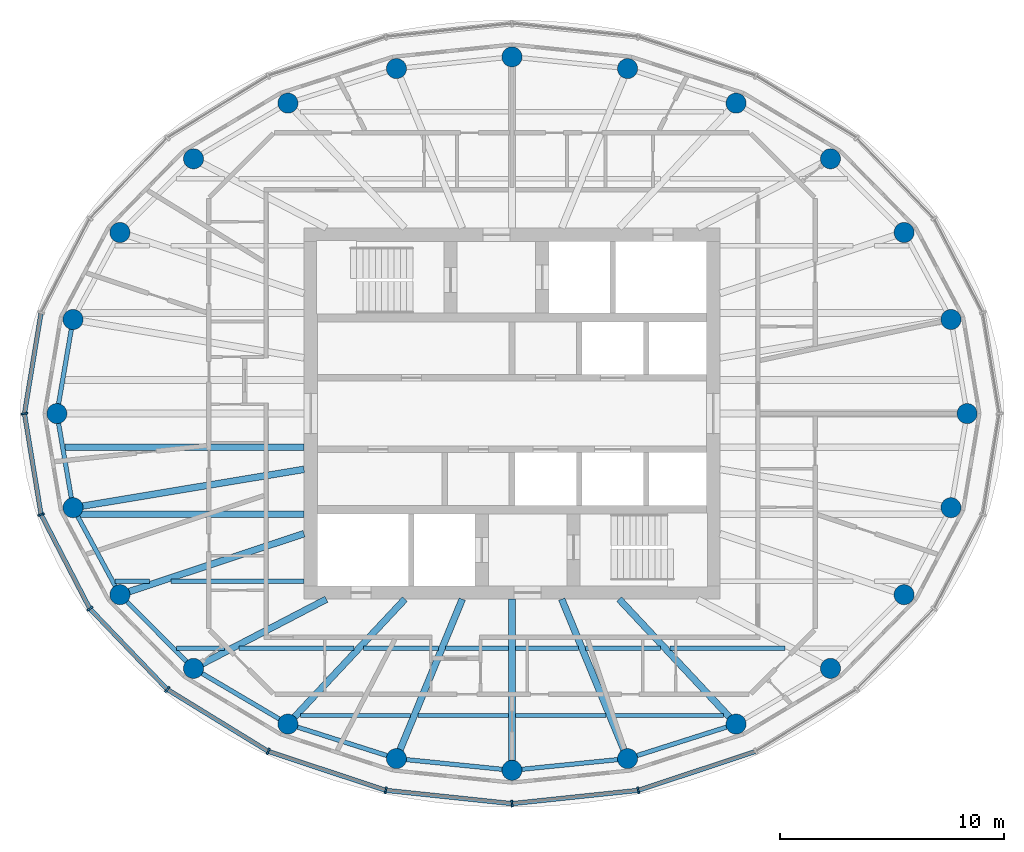
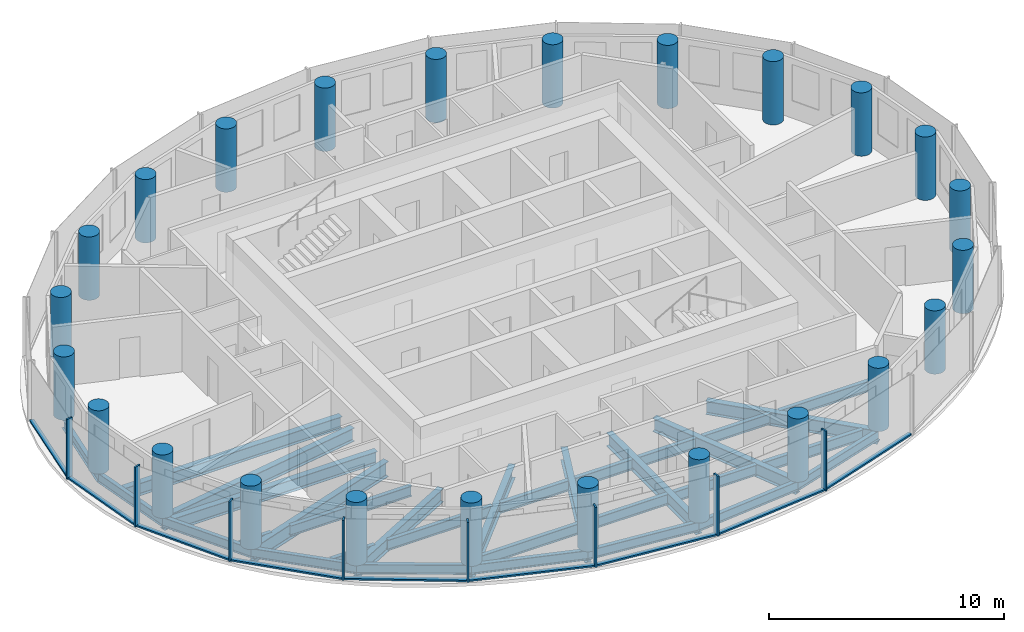
# One storey, part 1 of 11: 32 beams, 24 columns, 17 members, 3 elements without a shape of their own.
"""IFC4 building model written with IfcOpenShell, lengths in metres."""

from ifc_helpers import new_model, si_unit, direction, frame, origin, origin_2d, place, context, subcontext, project, spatial, rectangle, circle, i_section, extrude, material, material_profile, profile_set, type_object, element, aggregate, save


model = new_model("IFC4")

# Units and contexts
model_context = context("Model", 3, precision=1e-05, world=origin(), true_north=direction((0.0, 1.0)))
body_context = subcontext(model_context, "Body", "Model", "MODEL_VIEW")
ifc_project = project(units=[si_unit("LENGTHUNIT", "METRE"), si_unit("AREAUNIT", "SQUARE_METRE"), si_unit("VOLUMEUNIT", "CUBIC_METRE"), si_unit("PLANEANGLEUNIT", "RADIAN"), si_unit("MASSUNIT", "GRAM", prefix="KILO")], contexts=[model_context])

# Site, building, storey
site_placement = place(None, origin())
site = spatial("IfcSite", under=ifc_project, at=site_placement, CompositionType="ELEMENT")
building_placement = place(site_placement, origin())
building = spatial("IfcBuilding", under=site, at=building_placement, Name="Hankou Lantern Tower", CompositionType="ELEMENT")
storey_placement = place(building_placement, frame((0.0, 0.0, 199.5)))
storey = spatial("IfcBuildingStorey", under=building, at=storey_placement, Name="L53", CompositionType="ELEMENT", Elevation=199.5)

# Columns
ifc_material_1 = material(Name="Concrete C50", Category="concrete")
ifc_material_profile_1 = material_profile(ifc_material_1, circle(Radius=0.449951171875, at=origin_2d()), Name="RC D900")
ifc_profile_set_1 = profile_set([ifc_material_profile_1], Name="Concrete C50")
column_type = type_object("IfcColumnType", Name="TC5 PERIMETER COLUMN RC D900", PredefinedType="COLUMN", material=ifc_profile_set_1)
for number, where, z_axis, x_axis, name in (
    (1, (20.35009765625, 0.0, 0.0), (0.0, 0.0, 1.0), (1.0, 0.0, 0.0), "Column R01 L53"),
    (2, (19.629150390625, 4.207763671875, 0.0), (0.0, 0.0, 1.0), (1.0, 0.0, 0.0), "Column R02 L53"),
    (3, (17.5322265625, 8.097900390625, 0.0), (0.0, 0.0, 1.0), (1.0, 0.0, 0.0), "Column R03 L53"),
    (4, (14.241455078125, 11.393310546875, 0.0), (0.0, 0.0, 1.0), (1.0, 0.0, 0.0), "Column R04 L53"),
    (5, (10.01904296875, 13.8828125, 0.0), (0.0, 0.0, 1.0), (1.0, 0.0, 0.0), "Column R05 L53"),
    (6, (5.167236328125, 15.42724609375, 0.0), (0.0, 0.0, 1.0), (1.0, 0.0, 0.0), "Column R06 L53"),
    (7, (0.0, 15.949951171875, 0.0), (0.0, 0.0, 1.0), (1.0, 0.0, 0.0), "Column R07 L53"),
    (8, (-5.167236328125, 15.42724609375, 0.0), (0.0, 0.0, 1.0), (1.0, 0.0, 0.0), "Column R08 L53"),
    (9, (-10.01904296875, 13.8828125, 0.0), (0.0, 0.0, 1.0), (1.0, 0.0, 0.0), "Column R09 L53"),
    (10, (-14.241455078125, 11.393310546875, 0.0), (0.0, 0.0, 1.0), (1.0, 0.0, 0.0), "Column R10 L53"),
    (11, (-17.5322265625, 8.097900390625, 0.0), (0.0, 0.0, 1.0), (1.0, 0.0, 0.0), "Column R11 L53"),
    (12, (-19.629150390625, 4.207763671875, 0.0), (0.0, 0.0, 1.0), (1.0, 0.0, 0.0), "Column R12 L53"),
    (13, (-20.35009765625, 0.0, 0.0), (0.0, 0.0, 1.0), (1.0, 0.0, 0.0), "Column R13 L53"),
    (14, (-19.629150390625, -4.207763671875, 0.0), (0.0, 0.0, 1.0), (1.0, 0.0, 0.0), "Column R14 L53"),
    (15, (-17.5322265625, -8.097900390625, 0.0), (0.0, 0.0, 1.0), (1.0, 0.0, 0.0), "Column R15 L53"),
    (16, (-14.241455078125, -11.393310546875, 0.0), (0.0, 0.0, 1.0), (1.0, 0.0, 0.0), "Column R16 L53"),
    (17, (-10.01904296875, -13.8828125, 0.0), (0.0, 0.0, 1.0), (1.0, 0.0, 0.0), "Column R17 L53"),
    (18, (-5.167236328125, -15.42724609375, 0.0), (0.0, 0.0, 1.0), (1.0, 0.0, 0.0), "Column R18 L53"),
    (19, (0.0, -15.949951171875, 0.0), (0.0, 0.0, 1.0), (1.0, 0.0, 0.0), "Column R19 L53"),
    (20, (5.167236328125, -15.42724609375, 0.0), (0.0, 0.0, 1.0), (1.0, 0.0, 0.0), "Column R20 L53"),
    (21, (10.01904296875, -13.8828125, 0.0), (0.0, 0.0, 1.0), (1.0, 0.0, 0.0), "Column R21 L53"),
    (22, (14.241455078125, -11.393310546875, 0.0), (0.0, 0.0, 1.0), (1.0, 0.0, 0.0), "Column R22 L53"),
    (23, (17.5322265625, -8.097900390625, 0.0), (0.0, 0.0, 1.0), (1.0, 0.0, 0.0), "Column R23 L53"),
    (24, (19.629150390625, -4.207763671875, 0.0), (0.0, 0.0, 1.0), (1.0, 0.0, 0.0), "Column R24 L53"),
):
    element("IfcColumn", number, at=place(storey_placement, frame(where, z_axis=z_axis, x_axis=x_axis)), inside=storey, type_object=column_type, Name=name, PredefinedType="COLUMN", context=body_context, shape_type="SweptSolid", body=[
        extrude(circle(Radius=0.449951171875, at=origin_2d()), origin(), (0.0, 0.0, 1.0), 3.300048828125),
    ])

# Beams
ifc_material_2 = material(Name="Steel Q355B", Category="steel")
ifc_material_profile_2 = material_profile(ifc_material_2, i_section(OverallWidth=0.199951171875, OverallDepth=0.5, WebThickness=0.010009765625, FlangeThickness=0.01611328125, FilletRadius=0.012939453125, at=origin_2d()), Name="HN500x200x10x16")
ifc_profile_set_2 = profile_set([ifc_material_profile_2], Name="Steel Q355B")
beam_type_1 = type_object("IfcBeamType", Name="EB5 RING BEAM HN500x200x10x16", PredefinedType="SPANDREL", material=ifc_profile_set_2)
for number, where, z_axis, x_axis, name in (
    (25, (-19.629150390625, 4.207763671875, -0.429931640625), (-0.168876512999, -0.98563721691, 0.0), (0.98563721691, -0.168876512999, 0.0), "Ring beam R12-R13 L53"),
    (26, (-20.35009765625, 0.0, -0.429931640625), (0.168876512999, -0.98563721691, 0.0), (0.98563721691, 0.168876512999, 0.0), "Ring beam R13-R14 L53"),
):
    element("IfcBeam", number, at=place(storey_placement, frame(where, z_axis=z_axis, x_axis=x_axis)), inside=storey, type_object=beam_type_1, Name=name, PredefinedType="SPANDREL", context=body_context, shape_type="SweptSolid", body=[
        extrude(i_section(OverallWidth=0.199951171875, OverallDepth=0.5, WebThickness=0.010009765625, FlangeThickness=0.01611328125, FilletRadius=0.012939453125, at=origin_2d()), origin(), (0.0, 0.0, 1.0), 4.26904296875),
    ])
beam_1_placement = place(storey_placement, frame((-19.629150390625, -4.207763671875, -0.429931640625), z_axis=(0.474491806611, -0.880259919262, 0.0), x_axis=(0.880259919262, 0.474491806611, 0.0)))
element("IfcBeam", 27, at=beam_1_placement, inside=storey, type_object=beam_type_1, Name="Ring beam R14-R15 L53", PredefinedType="SPANDREL", context=body_context, shape_type="SweptSolid", body=[
    extrude(i_section(OverallWidth=0.199951171875, OverallDepth=0.5, WebThickness=0.010009765625, FlangeThickness=0.01611328125, FilletRadius=0.012939453125, at=origin_2d()), origin(), (0.0, 0.0, 1.0), 4.419189453125),
])
beam_2_placement = place(storey_placement, frame((-17.5322265625, -8.097900390625, -0.429931640625), z_axis=(0.706608588034, -0.707604623583, 0.0), x_axis=(0.707604623583, 0.706608588034, 0.0)))
element("IfcBeam", 28, at=beam_2_placement, inside=storey, type_object=beam_type_1, Name="Ring beam R15-R16 L53", PredefinedType="SPANDREL", context=body_context, shape_type="SweptSolid", body=[
    extrude(i_section(OverallWidth=0.199951171875, OverallDepth=0.5, WebThickness=0.010009765625, FlangeThickness=0.01611328125, FilletRadius=0.012939453125, at=origin_2d()), origin(), (0.0, 0.0, 1.0), 4.6572265625),
])
beam_3_placement = place(storey_placement, frame((-14.241455078125, -11.393310546875, -0.429931640625), z_axis=(0.861422897323, -0.507888365655, 0.0), x_axis=(0.507888365655, 0.861422897323, 0.0)))
element("IfcBeam", 29, at=beam_3_placement, inside=storey, type_object=beam_type_1, Name="Ring beam R16-R17 L53", PredefinedType="SPANDREL", context=body_context, shape_type="SweptSolid", body=[
    extrude(i_section(OverallWidth=0.199951171875, OverallDepth=0.5, WebThickness=0.010009765625, FlangeThickness=0.01611328125, FilletRadius=0.012939453125, at=origin_2d()), origin(), (0.0, 0.0, 1.0), 4.901611328125),
])
beam_4_placement = place(storey_placement, frame((-10.01904296875, -13.8828125, -0.429931640625), z_axis=(0.952887359315, -0.303324381574, 0.0), x_axis=(0.303324381574, 0.952887359315, 0.0)))
element("IfcBeam", 30, at=beam_4_placement, inside=storey, type_object=beam_type_1, Name="Ring beam R17-R18 L53", PredefinedType="SPANDREL", context=body_context, shape_type="SweptSolid", body=[
    extrude(i_section(OverallWidth=0.199951171875, OverallDepth=0.5, WebThickness=0.010009765625, FlangeThickness=0.01611328125, FilletRadius=0.012939453125, at=origin_2d()), origin(), (0.0, 0.0, 1.0), 5.091796875),
])
for number, where, z_axis, x_axis, name in (
    (31, (-5.167236328125, -15.42724609375, -0.429931640625), (0.994922507736, -0.100643944676, 0.0), (0.100643944676, 0.994922507736, 0.0), "Ring beam R18-R19 L53"),
    (32, (0.0, -15.949951171875, -0.429931640625), (0.994922507736, 0.100643944676, 0.0), (-0.100643944676, 0.994922507736, 0.0), "Ring beam R19-R20 L53"),
):
    element("IfcBeam", number, at=place(storey_placement, frame(where, z_axis=z_axis, x_axis=x_axis)), inside=storey, type_object=beam_type_1, Name=name, PredefinedType="SPANDREL", context=body_context, shape_type="SweptSolid", body=[
        extrude(i_section(OverallWidth=0.199951171875, OverallDepth=0.5, WebThickness=0.010009765625, FlangeThickness=0.01611328125, FilletRadius=0.012939453125, at=origin_2d()), origin(), (0.0, 0.0, 1.0), 5.193603515625),
    ])
beam_5_placement = place(storey_placement, frame((5.167236328125, -15.42724609375, -0.429931640625), z_axis=(0.952887359315, 0.303324381574, 0.0), x_axis=(-0.303324381574, 0.952887359315, 0.0)))
element("IfcBeam", 33, at=beam_5_placement, inside=storey, type_object=beam_type_1, Name="Ring beam R20-R21 L53", PredefinedType="SPANDREL", context=body_context, shape_type="SweptSolid", body=[
    extrude(i_section(OverallWidth=0.199951171875, OverallDepth=0.5, WebThickness=0.010009765625, FlangeThickness=0.01611328125, FilletRadius=0.012939453125, at=origin_2d()), origin(), (0.0, 0.0, 1.0), 5.091796875),
])

# Curtain wall, members
ifc_material_3 = material(Name="Glass, dark grey tinted laminated", Category="glass")
curtain_wall_type = type_object("IfcCurtainWallType", Name="CWD OUTER SKIN SUITE", PredefinedType="USERDEFINED", material=ifc_material_3)
curtain_wall_1_placement = place(storey_placement, origin())
curtain_wall_1 = element("IfcCurtainWall", 34, at=curtain_wall_1_placement, inside=storey, type_object=curtain_wall_type, Name="CWD L53 OS3", ObjectType="OUTER SKIN SUITE", PredefinedType="USERDEFINED")
ifc_material_4 = material(Name="Aluminium, black anodised", Category="aluminium")
ifc_material_profile_3 = material_profile(ifc_material_4, rectangle(XDim=0.080078125, YDim=0.300048828125, at=origin_2d()), Name="MU1 80X300")
ifc_profile_set_3 = profile_set([ifc_material_profile_3], Name="Aluminium, black anodised")
member_type_1 = type_object("IfcMemberType", Name="MU1 OUTER SKIN MULLION 80X300", PredefinedType="MULLION", material=ifc_profile_set_3)
member_1_placement = place(storey_placement, frame((-21.800048828125, 0.0, 0.0), z_axis=(0.0, 0.0, 1.0), x_axis=(0.162381515188, -0.986728049427, 0.0)))
member_1 = element("IfcMember", 35, at=member_1_placement, type_object=member_type_1, Name="CWD mullion 1", PredefinedType="MULLION", context=body_context, shape_type="SweptSolid", body=[
    extrude(rectangle(XDim=0.080078125, YDim=0.300048828125, at=origin_2d()), origin(), (0.0, 0.0, 1.0), 3.1201171875),
])
member_2_placement = place(storey_placement, frame((-21.05712890625, -4.513916015625, 0.0), z_axis=(0.0, 0.0, 1.0), x_axis=(0.317595577365, -0.94822626479, 0.0)))
member_2 = element("IfcMember", 36, at=member_2_placement, type_object=member_type_1, Name="CWD mullion 2", PredefinedType="MULLION", context=body_context, shape_type="SweptSolid", body=[
    extrude(rectangle(XDim=0.080078125, YDim=0.300048828125, at=origin_2d()), origin(), (0.0, 0.0, 1.0), 3.1201171875),
])
member_3_placement = place(storey_placement, frame((-18.87939453125, -8.719970703125, 0.0), z_axis=(0.0, 0.0, 1.0), x_axis=(0.585205735974, -0.810884854084, 0.0)))
member_3 = element("IfcMember", 37, at=member_3_placement, type_object=member_type_1, Name="CWD mullion 3", PredefinedType="MULLION", context=body_context, shape_type="SweptSolid", body=[
    extrude(rectangle(XDim=0.080078125, YDim=0.300048828125, at=origin_2d()), origin(), (0.0, 0.0, 1.0), 3.1201171875),
])
member_4_placement = place(storey_placement, frame((-15.4150390625, -12.33203125, 0.0), z_axis=(0.0, 0.0, 1.0), x_axis=(0.780868809444, -0.624695047553, 0.0)))
member_4 = element("IfcMember", 38, at=member_4_placement, type_object=member_type_1, Name="CWD mullion 4", PredefinedType="MULLION", context=body_context, shape_type="SweptSolid", body=[
    extrude(rectangle(XDim=0.080078125, YDim=0.300048828125, at=origin_2d()), origin(), (0.0, 0.0, 1.0), 3.1201171875),
])
member_5_placement = place(storey_placement, frame((-10.89990234375, -15.103515625, 0.0), z_axis=(0.0, 0.0, 1.0), x_axis=(0.907841299004, -0.419313934686, 0.0)))
member_5 = element("IfcMember", 39, at=member_5_placement, type_object=member_type_1, Name="CWD mullion 5", PredefinedType="MULLION", context=body_context, shape_type="SweptSolid", body=[
    extrude(rectangle(XDim=0.080078125, YDim=0.300048828125, at=origin_2d()), origin(), (0.0, 0.0, 1.0), 3.1201171875),
])
member_6_placement = place(storey_placement, frame((-5.642333984375, -16.845703125, 0.0), z_axis=(0.0, 0.0, 1.0), x_axis=(0.977787659625, -0.209597931016, 0.0)))
member_6 = element("IfcMember", 40, at=member_6_placement, type_object=member_type_1, Name="CWD mullion 6", PredefinedType="MULLION", context=body_context, shape_type="SweptSolid", body=[
    extrude(rectangle(XDim=0.080078125, YDim=0.300048828125, at=origin_2d()), origin(), (0.0, 0.0, 1.0), 3.1201171875),
])

curtain_wall_2_placement = place(storey_placement, origin())
curtain_wall_2 = element("IfcCurtainWall", 41, at=curtain_wall_2_placement, inside=storey, type_object=curtain_wall_type, Name="CWD L53 OS4", ObjectType="OUTER SKIN SUITE", PredefinedType="USERDEFINED")
member_7_placement = place(storey_placement, frame((0.0, -17.43994140625, 0.0), z_axis=(0.0, 0.0, 1.0), x_axis=(0.994499359107, 0.104742659579, 0.0)))
member_7 = element("IfcMember", 42, at=member_7_placement, type_object=member_type_1, Name="CWD mullion 1", PredefinedType="MULLION", context=body_context, shape_type="SweptSolid", body=[
    extrude(rectangle(XDim=0.080078125, YDim=0.300048828125, at=origin_2d()), origin(), (0.0, 0.0, 1.0), 3.1201171875),
])
member_8_placement = place(storey_placement, frame((5.642333984375, -16.845703125, 0.0), z_axis=(0.0, 0.0, 1.0), x_axis=(0.977787659625, 0.209597931016, 0.0)))
member_8 = element("IfcMember", 43, at=member_8_placement, type_object=member_type_1, Name="CWD mullion 2", PredefinedType="MULLION", context=body_context, shape_type="SweptSolid", body=[
    extrude(rectangle(XDim=0.080078125, YDim=0.300048828125, at=origin_2d()), origin(), (0.0, 0.0, 1.0), 3.1201171875),
])

# Beams
ifc_material_5 = material(Name="Steel Q355B", Category="steel")
ifc_material_profile_4 = material_profile(ifc_material_5, i_section(OverallWidth=0.300048828125, OverallDepth=0.800048828125, WebThickness=0.013916015625, FlangeThickness=0.02587890625, FilletRadius=0.01806640625, at=origin_2d()), Name="HN800x300x14x26")
ifc_profile_set_4 = profile_set([ifc_material_profile_4], Name="Steel Q355B")
beam_type_2 = type_object("IfcBeamType", Name="RB11 RADIAL BEAM HN800x300x14x26", PredefinedType="BEAM", material=ifc_profile_set_4)
beam_6_placement = place(storey_placement, frame((-9.300048828125, -5.369384765625, -0.580078125), z_axis=(-0.949219608576, -0.314614263337, 0.0), x_axis=(0.314614263337, -0.949219608576, 0.0)))
element("IfcBeam", 44, at=beam_6_placement, inside=storey, type_object=beam_type_2, Name="Radial beam R15 L53", PredefinedType="BEAM", context=body_context, shape_type="SweptSolid", body=[
    extrude(i_section(OverallWidth=0.300048828125, OverallDepth=0.800048828125, WebThickness=0.013916015625, FlangeThickness=0.02587890625, FilletRadius=0.01806640625, at=origin_2d()), origin(), (0.0, 0.0, 1.0), 8.672607421875),
])
ifc_material_6 = material(Name="Steel Q355B", Category="steel")
ifc_material_profile_5 = material_profile(ifc_material_6, i_section(OverallWidth=0.300048828125, OverallDepth=0.699951171875, WebThickness=0.012939453125, FlangeThickness=0.02392578125, FilletRadius=0.01806640625, at=origin_2d()), Name="HN700x300x13x24")
ifc_profile_set_5 = profile_set([ifc_material_profile_5], Name="Steel Q355B")
beam_type_3 = type_object("IfcBeamType", Name="RB9 RADIAL BEAM HN700x300x13x24", PredefinedType="BEAM", material=ifc_profile_set_5)
beam_7_placement = place(storey_placement, frame((-9.300048828125, -2.491943359375, -0.530029296875), z_axis=(-0.986482007061, -0.163869612027, 0.0), x_axis=(0.163869612027, -0.986482007061, 0.0)))
element("IfcBeam", 45, at=beam_7_placement, inside=storey, type_object=beam_type_3, Name="Radial beam R14 L53", PredefinedType="BEAM", context=body_context, shape_type="SweptSolid", body=[
    extrude(i_section(OverallWidth=0.300048828125, OverallDepth=0.699951171875, WebThickness=0.012939453125, FlangeThickness=0.02392578125, FilletRadius=0.01806640625, at=origin_2d()), origin(), (0.0, 0.0, 1.0), 10.470703125),
])
beam_8_placement = place(storey_placement, frame((-8.300048828125, -8.300048828125, -0.530029296875), z_axis=(-0.886988734783, -0.461791061378, 0.0), x_axis=(0.461791061378, -0.886988734783, 0.0)))
element("IfcBeam", 46, at=beam_8_placement, inside=storey, type_object=beam_type_3, Name="Radial beam R16 L53", PredefinedType="BEAM", context=body_context, shape_type="SweptSolid", body=[
    extrude(i_section(OverallWidth=0.300048828125, OverallDepth=0.699951171875, WebThickness=0.012939453125, FlangeThickness=0.02392578125, FilletRadius=0.01806640625, at=origin_2d()), origin(), (0.0, 0.0, 1.0), 6.698486328125),
])
beam_9_placement = place(storey_placement, frame((-4.7919921875, -8.300048828125, -0.530029296875), z_axis=(-0.68346844743, -0.729980055459, 0.0), x_axis=(0.729980055459, -0.68346844743, 0.0)))
element("IfcBeam", 47, at=beam_9_placement, inside=storey, type_object=beam_type_3, Name="Radial beam R17 L53", PredefinedType="BEAM", context=body_context, shape_type="SweptSolid", body=[
    extrude(i_section(OverallWidth=0.300048828125, OverallDepth=0.699951171875, WebThickness=0.012939453125, FlangeThickness=0.02392578125, FilletRadius=0.01806640625, at=origin_2d()), origin(), (0.0, 0.0, 1.0), 7.64794921875),
])
beam_10_placement = place(storey_placement, frame((-2.223876953125, -8.300048828125, -0.530029296875), z_axis=(-0.381706648123, -0.924283525104, 0.0), x_axis=(0.924283525104, -0.381706648123, 0.0)))
element("IfcBeam", 48, at=beam_10_placement, inside=storey, type_object=beam_type_3, Name="Radial beam R18 L53", PredefinedType="BEAM", context=body_context, shape_type="SweptSolid", body=[
    extrude(i_section(OverallWidth=0.300048828125, OverallDepth=0.699951171875, WebThickness=0.012939453125, FlangeThickness=0.02392578125, FilletRadius=0.01806640625, at=origin_2d()), origin(), (0.0, 0.0, 1.0), 7.7109375),
])
beam_11_placement = place(storey_placement, frame((0.0, -8.300048828125, -0.530029296875), z_axis=(0.0, -1.0, 0.0), x_axis=(1.0, 0.0, 0.0)))
element("IfcBeam", 49, at=beam_11_placement, inside=storey, type_object=beam_type_3, Name="Radial beam R19 L53", PredefinedType="BEAM", context=body_context, shape_type="SweptSolid", body=[
    extrude(i_section(OverallWidth=0.300048828125, OverallDepth=0.699951171875, WebThickness=0.012939453125, FlangeThickness=0.02392578125, FilletRadius=0.01806640625, at=origin_2d()), origin(), (0.0, 0.0, 1.0), 7.64990234375),
])
beam_12_placement = place(storey_placement, frame((2.223876953125, -8.300048828125, -0.530029296875), z_axis=(0.381706648123, -0.924283525104, 0.0), x_axis=(0.924283525104, 0.381706648123, 0.0)))
element("IfcBeam", 50, at=beam_12_placement, inside=storey, type_object=beam_type_3, Name="Radial beam R20 L53", PredefinedType="BEAM", context=body_context, shape_type="SweptSolid", body=[
    extrude(i_section(OverallWidth=0.300048828125, OverallDepth=0.699951171875, WebThickness=0.012939453125, FlangeThickness=0.02392578125, FilletRadius=0.01806640625, at=origin_2d()), origin(), (0.0, 0.0, 1.0), 7.7109375),
])
beam_13_placement = place(storey_placement, frame((4.7919921875, -8.300048828125, -0.530029296875), z_axis=(0.68346844743, -0.729980055459, 0.0), x_axis=(0.729980055459, 0.68346844743, 0.0)))
element("IfcBeam", 51, at=beam_13_placement, inside=storey, type_object=beam_type_3, Name="Radial beam R21 L53", PredefinedType="BEAM", context=body_context, shape_type="SweptSolid", body=[
    extrude(i_section(OverallWidth=0.300048828125, OverallDepth=0.699951171875, WebThickness=0.012939453125, FlangeThickness=0.02392578125, FilletRadius=0.01806640625, at=origin_2d()), origin(), (0.0, 0.0, 1.0), 7.64794921875),
])
ifc_material_7 = material(Name="Steel Q355B", Category="steel")
ifc_material_profile_6 = material_profile(ifc_material_7, i_section(OverallWidth=0.199951171875, OverallDepth=0.550048828125, WebThickness=0.010009765625, FlangeThickness=0.01611328125, FilletRadius=0.012939453125, at=origin_2d()), Name="HN550x200x10x16")
ifc_profile_set_6 = profile_set([ifc_material_profile_6], Name="Steel Q355B")
beam_type_4 = type_object("IfcBeamType", Name="SB6 SECONDARY BEAM HN550x200x10x16", PredefinedType="JOIST", material=ifc_profile_set_6)
beam_14_placement = place(storey_placement, frame((-9.455078125, -13.5, -0.455078125), z_axis=(1.0, 0.0, 0.0), x_axis=(0.0, 1.0, 0.0)))
element("IfcBeam", 52, at=beam_14_placement, inside=storey, type_object=beam_type_4, Name="Floor joist J001 L53", PredefinedType="JOIST", context=body_context, shape_type="SweptSolid", body=[
    extrude(i_section(OverallWidth=0.199951171875, OverallDepth=0.550048828125, WebThickness=0.010009765625, FlangeThickness=0.01611328125, FilletRadius=0.012939453125, at=origin_2d()), origin(), (0.0, 0.0, 1.0), 4.92138671875),
])
for number, where, z_axis, x_axis, name in (
    (53, (-4.208984375, -13.5, -0.455078125), (1.0, 0.0, 0.0), (0.0, 1.0, 0.0), "Floor joist J002 L53"),
    (54, (0.14990234375, -13.5, -0.455078125), (1.0, 0.0, 0.0), (0.0, 1.0, 0.0), "Floor joist J003 L53"),
):
    element("IfcBeam", number, at=place(storey_placement, frame(where, z_axis=z_axis, x_axis=x_axis)), inside=storey, type_object=beam_type_4, Name=name, PredefinedType="JOIST", context=body_context, shape_type="SweptSolid", body=[
        extrude(i_section(OverallWidth=0.199951171875, OverallDepth=0.550048828125, WebThickness=0.010009765625, FlangeThickness=0.01611328125, FilletRadius=0.012939453125, at=origin_2d()), origin(), (0.0, 0.0, 1.0), 4.05908203125),
    ])
beam_15_placement = place(storey_placement, frame((4.53369140625, -13.5, -0.455078125), z_axis=(1.0, 0.0, 0.0), x_axis=(0.0, 1.0, 0.0)))
element("IfcBeam", 55, at=beam_15_placement, inside=storey, type_object=beam_type_4, Name="Floor joist J004 L53", PredefinedType="JOIST", context=body_context, shape_type="SweptSolid", body=[
    extrude(i_section(OverallWidth=0.199951171875, OverallDepth=0.550048828125, WebThickness=0.010009765625, FlangeThickness=0.01611328125, FilletRadius=0.012939453125, at=origin_2d()), origin(), (0.0, 0.0, 1.0), 4.92138671875),
])
beam_16_placement = place(storey_placement, frame((-14.9921875, -10.5, -0.455078125), z_axis=(1.0, 0.0, 0.0), x_axis=(0.0, 1.0, 0.0)))
element("IfcBeam", 56, at=beam_16_placement, inside=storey, type_object=beam_type_4, Name="Floor joist J005 L53", PredefinedType="JOIST", context=body_context, shape_type="SweptSolid", body=[
    extrude(i_section(OverallWidth=0.199951171875, OverallDepth=0.550048828125, WebThickness=0.010009765625, FlangeThickness=0.01611328125, FilletRadius=0.012939453125, at=origin_2d()), origin(), (0.0, 0.0, 1.0), 2.1416015625),
])
beam_17_placement = place(storey_placement, frame((-12.200927734375, -10.5, -0.455078125), z_axis=(1.0, 0.0, 0.0), x_axis=(0.0, 1.0, 0.0)))
element("IfcBeam", 57, at=beam_17_placement, inside=storey, type_object=beam_type_4, Name="Floor joist J006 L53", PredefinedType="JOIST", context=body_context, shape_type="SweptSolid", body=[
    extrude(i_section(OverallWidth=0.199951171875, OverallDepth=0.550048828125, WebThickness=0.010009765625, FlangeThickness=0.01611328125, FilletRadius=0.012939453125, at=origin_2d()), origin(), (0.0, 0.0, 1.0), 5.1435546875),
])
beam_18_placement = place(storey_placement, frame((-6.646240234375, -10.5, -0.455078125), z_axis=(1.0, 0.0, 0.0), x_axis=(0.0, 1.0, 0.0)))
element("IfcBeam", 58, at=beam_18_placement, inside=storey, type_object=beam_type_4, Name="Floor joist J007 L53", PredefinedType="JOIST", context=body_context, shape_type="SweptSolid", body=[
    extrude(i_section(OverallWidth=0.199951171875, OverallDepth=0.550048828125, WebThickness=0.010009765625, FlangeThickness=0.01611328125, FilletRadius=0.012939453125, at=origin_2d()), origin(), (0.0, 0.0, 1.0), 3.3515625),
])
for number, where, z_axis, x_axis, name in (
    (59, (-2.97021484375, -10.5, -0.455078125), (1.0, 0.0, 0.0), (0.0, 1.0, 0.0), "Floor joist J008 L53"),
    (60, (0.14990234375, -10.5, -0.455078125), (1.0, 0.0, 0.0), (0.0, 1.0, 0.0), "Floor joist J009 L53"),
):
    element("IfcBeam", number, at=place(storey_placement, frame(where, z_axis=z_axis, x_axis=x_axis)), inside=storey, type_object=beam_type_4, Name=name, PredefinedType="JOIST", context=body_context, shape_type="SweptSolid", body=[
        extrude(i_section(OverallWidth=0.199951171875, OverallDepth=0.550048828125, WebThickness=0.010009765625, FlangeThickness=0.01611328125, FilletRadius=0.012939453125, at=origin_2d()), origin(), (0.0, 0.0, 1.0), 2.8203125),
    ])
beam_19_placement = place(storey_placement, frame((3.294677734375, -10.5, -0.455078125), z_axis=(1.0, 0.0, 0.0), x_axis=(0.0, 1.0, 0.0)))
element("IfcBeam", 61, at=beam_19_placement, inside=storey, type_object=beam_type_4, Name="Floor joist J010 L53", PredefinedType="JOIST", context=body_context, shape_type="SweptSolid", body=[
    extrude(i_section(OverallWidth=0.199951171875, OverallDepth=0.550048828125, WebThickness=0.010009765625, FlangeThickness=0.01611328125, FilletRadius=0.012939453125, at=origin_2d()), origin(), (0.0, 0.0, 1.0), 3.3515625),
])
beam_20_placement = place(storey_placement, frame((7.057373046875, -10.5, -0.455078125), z_axis=(1.0, 0.0, 0.0), x_axis=(0.0, 1.0, 0.0)))
element("IfcBeam", 62, at=beam_20_placement, inside=storey, type_object=beam_type_4, Name="Floor joist J011 L53", PredefinedType="JOIST", context=body_context, shape_type="SweptSolid", body=[
    extrude(i_section(OverallWidth=0.199951171875, OverallDepth=0.550048828125, WebThickness=0.010009765625, FlangeThickness=0.01611328125, FilletRadius=0.012939453125, at=origin_2d()), origin(), (0.0, 0.0, 1.0), 5.1435546875),
])
beam_21_placement = place(storey_placement, frame((-17.740966796875, -7.5, -0.455078125), z_axis=(1.0, 0.0, 0.0), x_axis=(0.0, 1.0, 0.0)))
element("IfcBeam", 63, at=beam_21_placement, inside=storey, type_object=beam_type_4, Name="Floor joist J013 L53", PredefinedType="JOIST", context=body_context, shape_type="SweptSolid", body=[
    extrude(i_section(OverallWidth=0.199951171875, OverallDepth=0.550048828125, WebThickness=0.010009765625, FlangeThickness=0.01611328125, FilletRadius=0.012939453125, at=origin_2d()), origin(), (0.0, 0.0, 1.0), 1.53564453125),
])
beam_22_placement = place(storey_placement, frame((-15.251708984375, -7.5, -0.455078125), z_axis=(1.0, 0.0, 0.0), x_axis=(0.0, 1.0, 0.0)))
element("IfcBeam", 64, at=beam_22_placement, inside=storey, type_object=beam_type_4, Name="Floor joist J014 L53", PredefinedType="JOIST", context=body_context, shape_type="SweptSolid", body=[
    extrude(i_section(OverallWidth=0.199951171875, OverallDepth=0.550048828125, WebThickness=0.010009765625, FlangeThickness=0.01611328125, FilletRadius=0.012939453125, at=origin_2d()), origin(), (0.0, 0.0, 1.0), 5.95166015625),
])
ifc_material_8 = material(Name="Steel Q355B", Category="steel")
ifc_material_profile_7 = material_profile(ifc_material_8, i_section(OverallWidth=0.300048828125, OverallDepth=0.64990234375, WebThickness=0.010986328125, FlangeThickness=0.01708984375, FilletRadius=0.01806640625, at=origin_2d()), Name="HN650x300x11x17")
ifc_profile_set_7 = profile_set([ifc_material_profile_7], Name="Steel Q355B")
beam_type_5 = type_object("IfcBeamType", Name="SB8 SECONDARY BEAM HN650x300x11x17", PredefinedType="JOIST", material=ifc_profile_set_7)
beam_23_placement = place(storey_placement, frame((-19.35791015625, -4.5, -0.5048828125), z_axis=(1.0, 0.0, 0.0), x_axis=(0.0, 1.0, 0.0)))
element("IfcBeam", 65, at=beam_23_placement, inside=storey, type_object=beam_type_5, Name="Floor joist J017 L53", PredefinedType="JOIST", context=body_context, shape_type="SweptSolid", body=[
    extrude(i_section(OverallWidth=0.300048828125, OverallDepth=0.64990234375, WebThickness=0.010986328125, FlangeThickness=0.01708984375, FilletRadius=0.01806640625, at=origin_2d()), origin(), (0.0, 0.0, 1.0), 10.057861328125),
])
beam_24_placement = place(storey_placement, frame((-19.991455078125, -1.5, -0.5048828125), z_axis=(1.0, 0.0, 0.0), x_axis=(0.0, 1.0, 0.0)))
element("IfcBeam", 66, at=beam_24_placement, inside=storey, type_object=beam_type_5, Name="Floor joist J019 L53", PredefinedType="JOIST", context=body_context, shape_type="SweptSolid", body=[
    extrude(i_section(OverallWidth=0.300048828125, OverallDepth=0.64990234375, WebThickness=0.010986328125, FlangeThickness=0.01708984375, FilletRadius=0.01806640625, at=origin_2d()), origin(), (0.0, 0.0, 1.0), 10.69140625),
])

# Curtain wall, member
curtain_wall_3_placement = place(storey_placement, origin())
curtain_wall_3 = element("IfcCurtainWall", 67, at=curtain_wall_3_placement, inside=storey, type_object=curtain_wall_type, Name="CWD L53 OS2", ObjectType="OUTER SKIN SUITE", PredefinedType="USERDEFINED")
ifc_material_9 = material(Name="Aluminium, black anodised", Category="aluminium")
ifc_material_profile_8 = material_profile(ifc_material_9, rectangle(XDim=0.199951171875, YDim=0.080078125, at=origin_2d()), Name="TR1 200X80")
ifc_profile_set_8 = profile_set([ifc_material_profile_8], Name="Aluminium, black anodised")
member_type_2 = type_object("IfcMemberType", Name="TR1 OUTER SKIN TRANSOM 200X80", PredefinedType="USERDEFINED", material=ifc_profile_set_8)
member_9_placement = place(storey_placement, frame((-21.063720703125, 4.474365234375, 0.0400390625), z_axis=(-0.162363822839, -0.986730960816, 0.0), x_axis=(0.986730960816, -0.162363822839, 0.0)))
member_9 = element("IfcMember", 68, at=member_9_placement, type_object=member_type_2, Name="CWD transom 6", ObjectType="TRANSOM", PredefinedType="USERDEFINED", context=body_context, shape_type="SweptSolid", body=[
    extrude(rectangle(XDim=0.199951171875, YDim=0.080078125, at=origin_2d()), origin(), (0.0, 0.0, 1.0), 4.494384765625),
])
aggregate(curtain_wall_3, [member_9])

# Member
member_10_placement = place(storey_placement, frame((-21.79345703125, -0.03955078125, 0.0400390625), z_axis=(0.162363822839, -0.986730960816, 0.0), x_axis=(0.986730960816, 0.162363822839, 0.0)))
member_10 = element("IfcMember", 69, at=member_10_placement, type_object=member_type_2, Name="CWD transom 1", ObjectType="TRANSOM", PredefinedType="USERDEFINED", context=body_context, shape_type="SweptSolid", body=[
    extrude(rectangle(XDim=0.199951171875, YDim=0.080078125, at=origin_2d()), origin(), (0.0, 0.0, 1.0), 4.494384765625),
])

member_11_placement = place(storey_placement, frame((-21.038818359375, -4.54931640625, 0.0400390625), z_axis=(0.45979371115, -0.888025755925, 0.0), x_axis=(0.888025755925, 0.45979371115, 0.0)))
member_11 = element("IfcMember", 70, at=member_11_placement, type_object=member_type_2, Name="CWD transom 2", ObjectType="TRANSOM", PredefinedType="USERDEFINED", context=body_context, shape_type="SweptSolid", body=[
    extrude(rectangle(XDim=0.199951171875, YDim=0.080078125, at=origin_2d()), origin(), (0.0, 0.0, 1.0), 4.65673828125),
])

member_12_placement = place(storey_placement, frame((-18.8515625, -8.748779296875, 0.0400390625), z_axis=(0.692204633274, -0.721701285626, 0.0), x_axis=(0.721701285626, 0.692204633274, 0.0)))
member_12 = element("IfcMember", 71, at=member_12_placement, type_object=member_type_2, Name="CWD transom 3", ObjectType="TRANSOM", PredefinedType="USERDEFINED", context=body_context, shape_type="SweptSolid", body=[
    extrude(rectangle(XDim=0.199951171875, YDim=0.080078125, at=origin_2d()), origin(), (0.0, 0.0, 1.0), 4.9248046875),
])

member_13_placement = place(storey_placement, frame((-15.380859375, -12.352783203125, 0.0400390625), z_axis=(0.852234544008, -0.523159900986, 0.0), x_axis=(0.523159900986, 0.852234544008, 0.0)))
member_13 = element("IfcMember", 72, at=member_13_placement, type_object=member_type_2, Name="CWD transom 4", ObjectType="TRANSOM", PredefinedType="USERDEFINED", context=body_context, shape_type="SweptSolid", body=[
    extrude(rectangle(XDim=0.199951171875, YDim=0.080078125, at=origin_2d()), origin(), (0.0, 0.0, 1.0), 5.2177734375),
])

member_14_placement = place(storey_placement, frame((-10.862060546875, -15.115966796875, 0.0400390625), z_axis=(0.949231947668, -0.314577032739, 0.0), x_axis=(0.314577032739, 0.949231947668, 0.0)))
member_14 = element("IfcMember", 73, at=member_14_placement, type_object=member_type_2, Name="CWD transom 5", ObjectType="TRANSOM", PredefinedType="USERDEFINED", context=body_context, shape_type="SweptSolid", body=[
    extrude(rectangle(XDim=0.199951171875, YDim=0.080078125, at=origin_2d()), origin(), (0.0, 0.0, 1.0), 5.458984375),
])

member_15_placement = place(storey_placement, frame((-5.6025390625, -16.849853515625, 0.0400390625), z_axis=(0.994498275726, -0.104752945435, 0.0), x_axis=(0.104752945435, 0.994498275726, 0.0)))
member_15 = element("IfcMember", 74, at=member_15_placement, type_object=member_type_2, Name="CWD transom 6", ObjectType="TRANSOM", PredefinedType="USERDEFINED", context=body_context, shape_type="SweptSolid", body=[
    extrude(rectangle(XDim=0.199951171875, YDim=0.080078125, at=origin_2d()), origin(), (0.0, 0.0, 1.0), 5.593505859375),
])

aggregate(curtain_wall_1, [member_1, member_2, member_3, member_4, member_5, member_6, member_10, member_11, member_12, member_13, member_14, member_15])

member_16_placement = place(storey_placement, frame((0.039794921875, -17.435791015625, 0.0400390625), z_axis=(0.994498275726, 0.104752945435, 0.0), x_axis=(-0.104752945435, 0.994498275726, 0.0)))
member_16 = element("IfcMember", 75, at=member_16_placement, type_object=member_type_2, Name="CWD transom 1", ObjectType="TRANSOM", PredefinedType="USERDEFINED", context=body_context, shape_type="SweptSolid", body=[
    extrude(rectangle(XDim=0.199951171875, YDim=0.080078125, at=origin_2d()), origin(), (0.0, 0.0, 1.0), 5.593505859375),
])

member_17_placement = place(storey_placement, frame((5.68017578125, -16.833251953125, 0.0400390625), z_axis=(0.949231947668, 0.314577032739, 0.0), x_axis=(-0.314577032739, 0.949231947668, 0.0)))
member_17 = element("IfcMember", 76, at=member_17_placement, type_object=member_type_2, Name="CWD transom 2", ObjectType="TRANSOM", PredefinedType="USERDEFINED", context=body_context, shape_type="SweptSolid", body=[
    extrude(rectangle(XDim=0.199951171875, YDim=0.080078125, at=origin_2d()), origin(), (0.0, 0.0, 1.0), 5.458984375),
])

aggregate(curtain_wall_2, [member_7, member_8, member_16, member_17])

save(model, "model.ifc")
